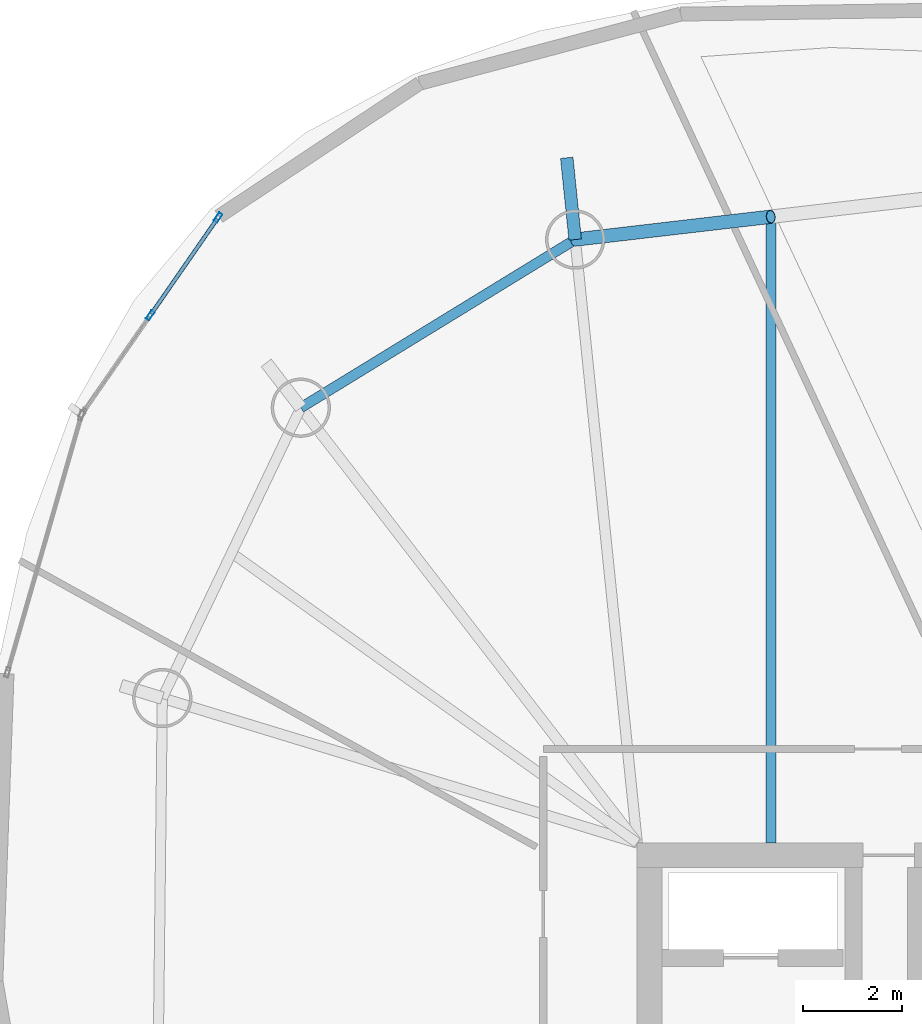
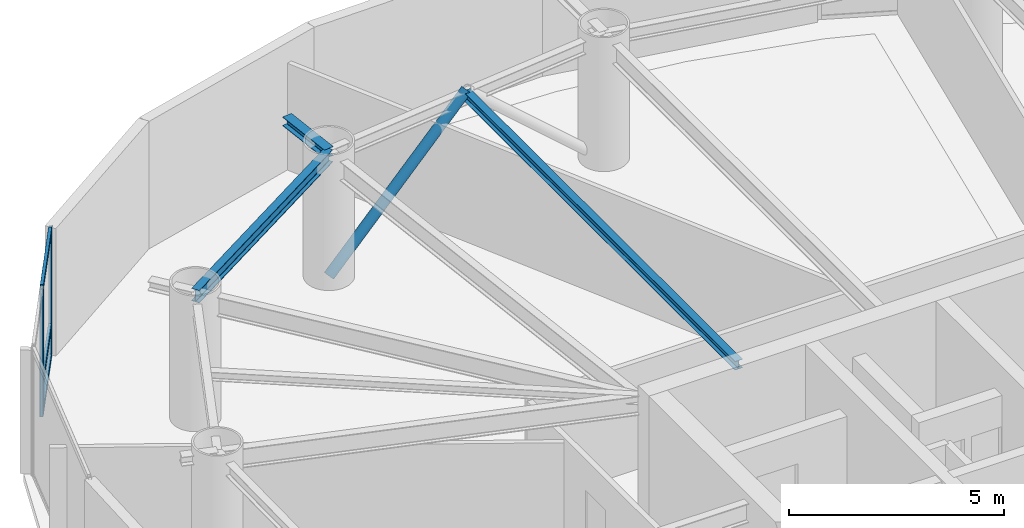
# One storey, part 10 of 22: 6 members, 3 beams, 1 element without a shape of its own.
"""IFC4 building model written with IfcOpenShell, lengths in metres."""

from ifc_helpers import new_model, si_unit, direction, frame, origin, origin_2d, place, context, subcontext, project, spatial, hollow_rectangle, hollow_circle, i_section, extrude, material, layer, layer_set, material_profile, profile_set, type_object, element, aggregate, save


model = new_model("IFC4")

# Units and contexts
model_context = context("Model", 3, precision=1e-05, world=origin(), true_north=direction((0.0, 1.0)))
body_context = subcontext(model_context, "Body", "Model", "MODEL_VIEW")
ifc_project = project(units=[si_unit("LENGTHUNIT", "METRE"), si_unit("AREAUNIT", "SQUARE_METRE"), si_unit("VOLUMEUNIT", "CUBIC_METRE"), si_unit("PLANEANGLEUNIT", "RADIAN"), si_unit("MASSUNIT", "GRAM", prefix="KILO")], contexts=[model_context])

# Site, building, storey
site_placement = place(None, origin())
site = spatial("IfcSite", under=ifc_project, at=site_placement, CompositionType="ELEMENT")
building_placement = place(site_placement, origin())
building = spatial("IfcBuilding", under=site, at=building_placement, Name="Bramvorn Convention Spire", CompositionType="ELEMENT")
storey_placement = place(building_placement, frame((0.0, 0.0, 213.550048828125)))
storey = spatial("IfcBuildingStorey", under=building, at=storey_placement, Name="L54", CompositionType="ELEMENT", Elevation=213.550048828125)

# Beams
ifc_material_1 = material(Name="Steel CSA G40.21 Grade 350 (350W)", Category="steel")
ifc_material_profile_1 = material_profile(ifc_material_1, i_section(OverallWidth=0.201904296875, OverallDepth=0.2470703125, WebThickness=0.00732421875, FlangeThickness=0.010986328125, FilletRadius=0.011962890625, at=origin_2d()))
ifc_profile_set_1 = profile_set([ifc_material_profile_1], Name="Steel CSA G40.21 Grade 350 (350W) - W250X49")
beam_type_1 = type_object("IfcBeamType", Name="BM-W250X49", PredefinedType="JOIST", material=ifc_profile_set_1)
beam_1_placement = place(storey_placement, frame((29.455810546875, 33.449951171875, 3.496337890625), z_axis=(0.0, 1.0, 0.0), x_axis=(-1.0, 0.0, 0.0)))
element("IfcBeam", 1, at=beam_1_placement, inside=storey, type_object=beam_type_1, Name="L54 composite floor joist 07", PredefinedType="JOIST", context=body_context, shape_type="SweptSolid", body=[
    extrude(i_section(OverallWidth=0.201904296875, OverallDepth=0.2470703125, WebThickness=0.00732421875, FlangeThickness=0.010986328125, FilletRadius=0.011962890625, at=origin_2d()), origin(), (0.0, 0.0, 1.0), 12.676025390625),
])
ifc_material_profile_2 = material_profile(ifc_material_1, i_section(OverallWidth=0.25390625, OverallDepth=0.2529296875, WebThickness=0.008544921875, FlangeThickness=0.01416015625, FilletRadius=0.011962890625, at=origin_2d()))
ifc_profile_set_2 = profile_set([ifc_material_profile_2], Name="Steel CSA G40.21 Grade 350 (350W) - W250X73")
beam_type_2 = type_object("IfcBeamType", Name="BM-W250X73", PredefinedType="BEAM", material=ifc_profile_set_2)
beam_2_placement = place(storey_placement, frame((25.49560546875, 45.663818359375, 3.493408203125), z_axis=(-0.102233561594, 0.994760422858, 0.0), x_axis=(-0.994760422858, -0.102233561594, 0.0)))
element("IfcBeam", 2, at=beam_2_placement, inside=storey, type_object=beam_type_2, Name="L54 slab-edge cantilever tip beam MC08", PredefinedType="BEAM", context=body_context, shape_type="SweptSolid", body=[
    extrude(i_section(OverallWidth=0.25390625, OverallDepth=0.2529296875, WebThickness=0.008544921875, FlangeThickness=0.01416015625, FilletRadius=0.011962890625, at=origin_2d()), origin(), (0.0, 0.0, 1.0), 1.66455078125),
])
ifc_material_profile_3 = material_profile(ifc_material_1, i_section(OverallWidth=0.205078125, OverallDepth=0.35400390625, WebThickness=0.009521484375, FlangeThickness=0.016845703125, FilletRadius=0.014892578125, at=origin_2d()))
ifc_profile_set_3 = profile_set([ifc_material_profile_3], Name="Steel CSA G40.21 Grade 350 (350W) - W360X79")
beam_type_3 = type_object("IfcBeamType", Name="BM-W360X79", PredefinedType="JOIST", material=ifc_profile_set_3)
beam_3_placement = place(storey_placement, frame((25.49560546875, 45.663818359375, 3.44287109375), z_axis=(-0.852616873135, -0.522536570629, 0.0), x_axis=(0.522536570629, -0.852616873135, 0.0)))
element("IfcBeam", 3, at=beam_3_placement, inside=storey, type_object=beam_type_3, Name="L54 mega-column ring beam 08", PredefinedType="JOIST", context=body_context, shape_type="SweptSolid", body=[
    extrude(i_section(OverallWidth=0.205078125, OverallDepth=0.35400390625, WebThickness=0.009521484375, FlangeThickness=0.016845703125, FilletRadius=0.014892578125, at=origin_2d()), origin(), (0.0, 0.0, 1.0), 6.513916015625),
])

# Curtain wall, members
ifc_material_2 = material(Name="Anodised Bronze Unitised Curtain Wall", Category="aluminium")
ifc_layer = layer(ifc_material_2, 0.179931640625)
ifc_layer_set = layer_set([ifc_layer], Name="Anodised Bronze Unitised Curtain Wall - CW-OFF-FRIT")
curtain_wall_type = type_object("IfcCurtainWallType", Name="CW-OFF-FRIT", PredefinedType="USERDEFINED", material=ifc_layer_set)
curtain_wall_placement = place(storey_placement, origin())
curtain_wall = element("IfcCurtainWall", 4, at=curtain_wall_placement, inside=storey, type_object=curtain_wall_type, Name="L54 fritted glass curtain wall 13", ObjectType="UNITISED CURTAIN WALL", PredefinedType="USERDEFINED")
ifc_material_3 = material(Name="Anodised Bronze Aluminium 6063-T6", Category="aluminium")
ifc_material_profile_4 = material_profile(ifc_material_3, hollow_rectangle(XDim=0.080078125, YDim=0.199951171875, WallThickness=0.00390625, InnerFilletRadius=0.0009765625, OuterFilletRadius=0.00390625, at=origin_2d()))
ifc_profile_set_4 = profile_set([ifc_material_profile_4], Name="Anodised Bronze Aluminium 6063-T6 - CWM80X200")
member_type_1 = type_object("IfcMemberType", Name="CW-MUL-180", PredefinedType="MULLION", material=ifc_profile_set_4)
member_1_placement = place(storey_placement, frame((16.894287109375, 44.130126953125, 0.0), z_axis=(0.0, 0.0, 1.0), x_axis=(-0.821813279113, 0.569756908053, 0.0)))
member_1 = element("IfcMember", 5, at=member_1_placement, type_object=member_type_1, Name="CW3 mullion 2", PredefinedType="MULLION", context=body_context, shape_type="SweptSolid", body=[
    extrude(hollow_rectangle(XDim=0.080078125, YDim=0.199951171875, WallThickness=0.00390625, InnerFilletRadius=0.0009765625, OuterFilletRadius=0.00390625, at=origin_2d()), origin(), (0.0, 0.0, 1.0), 3.619873046875),
])
member_2_placement = place(storey_placement, frame((18.266357421875, 46.109130859375, 0.0), z_axis=(0.0, 0.0, 1.0), x_axis=(-0.821813279113, 0.569756908053, 0.0)))
member_2 = element("IfcMember", 6, at=member_2_placement, type_object=member_type_1, Name="CW3 mullion 3", PredefinedType="MULLION", context=body_context, shape_type="SweptSolid", body=[
    extrude(hollow_rectangle(XDim=0.080078125, YDim=0.199951171875, WallThickness=0.00390625, InnerFilletRadius=0.0009765625, OuterFilletRadius=0.00390625, at=origin_2d()), origin(), (0.0, 0.0, 1.0), 3.619873046875),
])
ifc_material_profile_5 = material_profile(ifc_material_3, hollow_rectangle(XDim=0.080078125, YDim=0.159912109375, WallThickness=0.00390625, InnerFilletRadius=0.0009765625, OuterFilletRadius=0.00390625, at=origin_2d()))
ifc_profile_set_5 = profile_set([ifc_material_profile_5], Name="Anodised Bronze Aluminium 6063-T6 - CWT80X160")
member_type_2 = type_object("IfcMemberType", Name="CW-TRN-150", PredefinedType="USERDEFINED", material=ifc_profile_set_5)
member_3_placement = place(storey_placement, frame((16.911376953125, 44.15478515625, 0.030029296875), z_axis=(0.569772131795, 0.821802724399, 0.0), x_axis=(-0.821802724399, 0.569772131795, 0.0)))
member_3 = element("IfcMember", 7, at=member_3_placement, type_object=member_type_2, Name="CW3 transom 2.1", ObjectType="TRANSOM", PredefinedType="USERDEFINED", context=body_context, shape_type="SweptSolid", body=[
    extrude(hollow_rectangle(XDim=0.080078125, YDim=0.159912109375, WallThickness=0.00390625, InnerFilletRadius=0.0009765625, OuterFilletRadius=0.00390625, at=origin_2d()), origin(), (0.0, 0.0, 1.0), 2.34814453125),
])
member_4_placement = place(storey_placement, frame((16.911376953125, 44.15478515625, 0.89990234375), z_axis=(0.569772131795, 0.821802724399, 0.0), x_axis=(-0.821802724399, 0.569772131795, 0.0)))
member_4 = element("IfcMember", 8, at=member_4_placement, type_object=member_type_2, Name="CW3 transom 2.2", ObjectType="TRANSOM", PredefinedType="USERDEFINED", context=body_context, shape_type="SweptSolid", body=[
    extrude(hollow_rectangle(XDim=0.080078125, YDim=0.159912109375, WallThickness=0.00390625, InnerFilletRadius=0.0009765625, OuterFilletRadius=0.00390625, at=origin_2d()), origin(), (0.0, 0.0, 1.0), 2.34814453125),
])
member_5_placement = place(storey_placement, frame((16.911376953125, 44.15478515625, 3.58984375), z_axis=(0.569772131795, 0.821802724399, 0.0), x_axis=(-0.821802724399, 0.569772131795, 0.0)))
member_5 = element("IfcMember", 9, at=member_5_placement, type_object=member_type_2, Name="CW3 transom 2.3", ObjectType="TRANSOM", PredefinedType="USERDEFINED", context=body_context, shape_type="SweptSolid", body=[
    extrude(hollow_rectangle(XDim=0.080078125, YDim=0.159912109375, WallThickness=0.00390625, InnerFilletRadius=0.0009765625, OuterFilletRadius=0.00390625, at=origin_2d()), origin(), (0.0, 0.0, 1.0), 2.34814453125),
])
aggregate(curtain_wall, [member_1, member_2, member_3, member_4, member_5])

# Member
ifc_material_profile_6 = material_profile(ifc_material_1, hollow_circle(Radius=0.136474609375, WallThickness=0.0126953125, at=origin_2d()))
ifc_profile_set_6 = profile_set([ifc_material_profile_6], Name="Steel CSA G40.21 Grade 350 (350W) - CHS273X13")
member_type_3 = type_object("IfcMemberType", Name="MBR-CHS273X13", PredefinedType="BRACE", material=ifc_profile_set_6)
member_6_placement = place(storey_placement, frame((25.49560546875, 45.663818359375, 0.0), z_axis=(0.735387876584, 0.085820186818, 0.672190126756), x_axis=(-0.115913925363, 0.99325926218, 0.0)))
element("IfcMember", 10, at=member_6_placement, inside=storey, type_object=member_type_3, Name="L54 perimeter Gothic lancet brace 7B", PredefinedType="BRACE", context=body_context, shape_type="SweptSolid", body=[
    extrude(hollow_circle(Radius=0.136474609375, WallThickness=0.0126953125, at=origin_2d()), origin(), (0.0, 0.0, 1.0), 5.38525390625),
])

save(model, "model.ifc")
